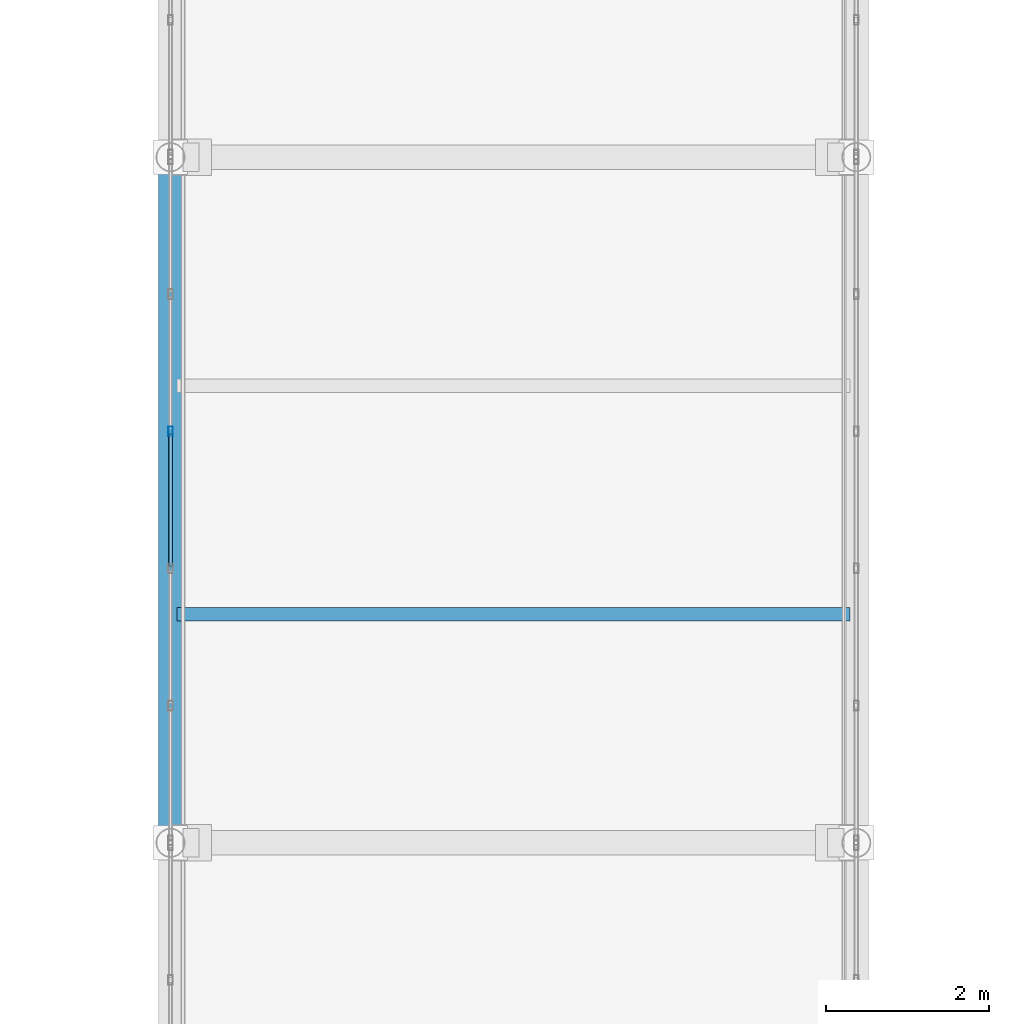
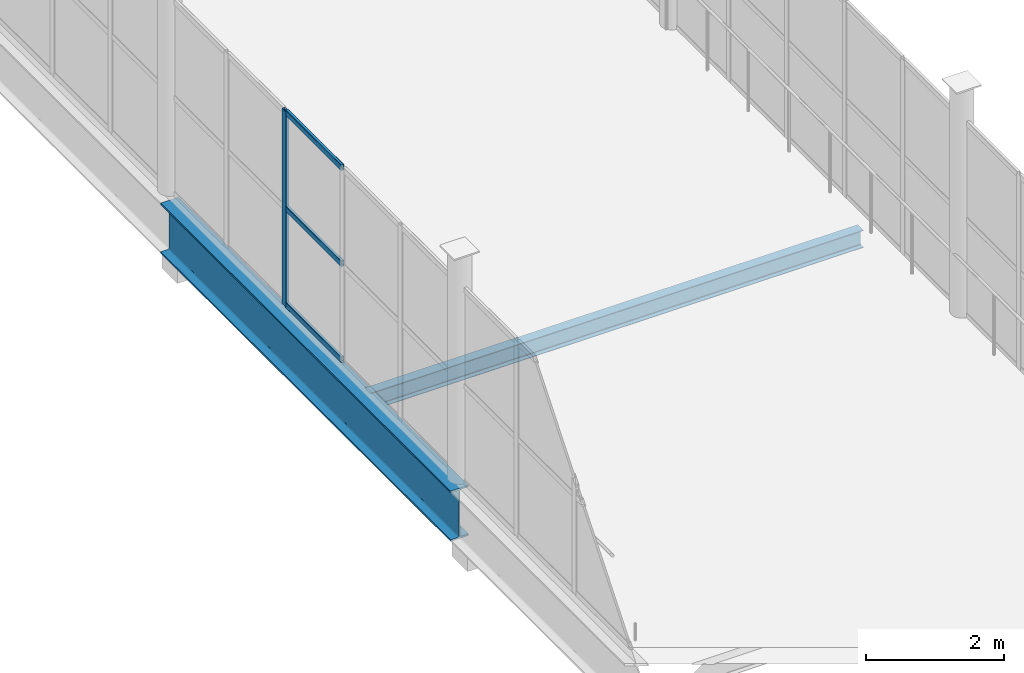
# One storey, part 61 of 184: 4 members, 2 beams, 1 element without a shape of its own.
"""IFC4 building model written with IfcOpenShell, lengths in metres."""

from ifc_helpers import new_model, si_unit, direction, frame, origin, origin_2d, place, context, subcontext, project, spatial, hollow_rectangle, i_section, extrude, material, layer, layer_set, material_profile, profile_set, type_object, element, aggregate, save


model = new_model("IFC4")

# Units and contexts
model_context = context("Model", 3, precision=1e-05, world=origin(), true_north=direction((0.0, 1.0)))
body_context = subcontext(model_context, "Body", "Model", "MODEL_VIEW")
ifc_project = project(units=[si_unit("LENGTHUNIT", "METRE"), si_unit("AREAUNIT", "SQUARE_METRE"), si_unit("VOLUMEUNIT", "CUBIC_METRE"), si_unit("PLANEANGLEUNIT", "RADIAN"), si_unit("MASSUNIT", "GRAM", prefix="KILO")], contexts=[model_context])

# Site, building, storey
site_placement = place(None, origin())
site = spatial("IfcSite", under=ifc_project, at=site_placement, CompositionType="ELEMENT")
building_placement = place(site_placement, origin())
building = spatial("IfcBuilding", under=site, at=building_placement, Name="Qalvenar Corner Mobility Hub", CompositionType="ELEMENT")
storey_placement = place(building_placement, frame((0.0, 0.0, 9.0)))
storey = spatial("IfcBuildingStorey", under=building, at=storey_placement, Name="L02", CompositionType="ELEMENT", Elevation=9.0)

# Beams
ifc_material_1 = material(Name="Steel S355", Category="steel")
ifc_material_profile_1 = material_profile(ifc_material_1, i_section(OverallWidth=0.300048828125, OverallDepth=0.889892578125, WebThickness=0.01611328125, FlangeThickness=0.030029296875, FilletRadius=0.027099609375, at=origin_2d()), Name="HEA900")
ifc_profile_set_1 = profile_set([ifc_material_profile_1], Name="Steel S355")
beam_type_1 = type_object("IfcBeamType", Name="BM-BRG900", PredefinedType="BEAM", material=ifc_profile_set_1)
beam_1_placement = place(storey_placement, frame((50.39990234375, 50.39990234375, -0.635009765625), z_axis=(0.0, 1.0, 0.0), x_axis=(-1.0, 0.0, 0.0)))
element("IfcBeam", 1, at=beam_1_placement, inside=storey, type_object=beam_type_1, Name="Court Link Bridge Girder BRG-2174", PredefinedType="BEAM", context=body_context, shape_type="SweptSolid", body=[
    extrude(i_section(OverallWidth=0.300048828125, OverallDepth=0.889892578125, WebThickness=0.01611328125, FlangeThickness=0.030029296875, FilletRadius=0.027099609375, at=origin_2d()), origin(), (0.0, 0.0, 1.0), 8.400146484375),
])
ifc_material_profile_2 = material_profile(ifc_material_1, i_section(OverallWidth=0.1650390625, OverallDepth=0.31005859375, WebThickness=0.005859375, FlangeThickness=0.009765625, FilletRadius=0.011962890625, at=origin_2d()), Name="W310x38.7")
ifc_profile_set_2 = profile_set([ifc_material_profile_2], Name="Steel S355")
beam_type_2 = type_object("IfcBeamType", Name="BM-JST310", PredefinedType="JOIST", material=ifc_profile_set_2)
beam_2_placement = place(storey_placement, frame((50.47802734375, 53.199951171875, -0.344970703125), z_axis=(1.0, 0.0, 0.0), x_axis=(0.0, 1.0, 0.0)))
element("IfcBeam", 2, at=beam_2_placement, inside=storey, type_object=beam_type_2, Name="Composite Floor Joist J-2184", PredefinedType="JOIST", context=body_context, shape_type="SweptSolid", body=[
    extrude(i_section(OverallWidth=0.1650390625, OverallDepth=0.31005859375, WebThickness=0.005859375, FlangeThickness=0.009765625, FilletRadius=0.011962890625, at=origin_2d()), origin(), (0.0, 0.0, 1.0), 8.243896484375),
])

# Curtain wall, members
ifc_material_2 = material(Name="Anodised Aluminium and Low-E Glazing", Category="aluminium")
ifc_layer = layer(ifc_material_2, 0.1201171875)
ifc_layer_set = layer_set([ifc_layer], Name="Anodised Aluminium and Low-E Glazing")
curtain_wall_type = type_object("IfcCurtainWallType", Name="CW-BRG-84X28", PredefinedType="NOTDEFINED", material=ifc_layer_set)
curtain_wall_placement = place(storey_placement, origin())
curtain_wall = element("IfcCurtainWall", 3, at=curtain_wall_placement, inside=storey, type_object=curtain_wall_type, Name="Glazed Curtain Wall CW-BRG-L02-W2", PredefinedType="NOTDEFINED")
ifc_material_3 = material(Name="Anodised Aluminium 6063-T6", Category="aluminium")
ifc_material_profile_3 = material_profile(ifc_material_3, hollow_rectangle(XDim=0.054931640625, YDim=0.1201171875, WallThickness=0.00341796875, InnerFilletRadius=0.00341796875, OuterFilletRadius=0.007080078125, at=origin_2d()), Name="RHS120x55x3.5")
ifc_profile_set_3 = profile_set([ifc_material_profile_3], Name="Anodised Aluminium 6063-T6")
member_type_1 = type_object("IfcMemberType", Name="CW-MUL120", PredefinedType="MULLION", material=ifc_profile_set_3)
member_1_placement = place(storey_placement, frame((50.39990234375, 55.43994140625, 0.0), z_axis=(0.0, 0.0, 1.0), x_axis=(1.0, 0.0, 0.0)))
member_1 = element("IfcMember", 4, at=member_1_placement, type_object=member_type_1, Name="CW-11 mullion 3", PredefinedType="MULLION", context=body_context, shape_type="SweptSolid", body=[
    extrude(hollow_rectangle(XDim=0.054931640625, YDim=0.1201171875, WallThickness=0.00341796875, InnerFilletRadius=0.00341796875, OuterFilletRadius=0.007080078125, at=origin_2d()), origin(), (0.0, 0.0, 1.0), 3.449951171875),
])
ifc_material_profile_4 = material_profile(ifc_material_3, hollow_rectangle(XDim=0.050048828125, YDim=0.10009765625, WallThickness=0.0029296875, InnerFilletRadius=0.0029296875, OuterFilletRadius=0.006103515625, at=origin_2d()), Name="RHS100x50x3")
ifc_profile_set_4 = profile_set([ifc_material_profile_4], Name="Anodised Aluminium 6063-T6")
member_type_2 = type_object("IfcMemberType", Name="CW-TRN100", PredefinedType="USERDEFINED", material=ifc_profile_set_4)
member_2_placement = place(storey_placement, frame((50.39990234375, 55.409912109375, 0.027587890625), z_axis=(0.0, -1.0, 0.0), x_axis=(1.0, 0.0, 0.0)))
member_2 = element("IfcMember", 5, at=member_2_placement, type_object=member_type_2, Name="CW-11 transom 3.1", ObjectType="TRANSOM", PredefinedType="USERDEFINED", context=body_context, shape_type="SweptSolid", body=[
    extrude(hollow_rectangle(XDim=0.050048828125, YDim=0.10009765625, WallThickness=0.0029296875, InnerFilletRadius=0.0029296875, OuterFilletRadius=0.006103515625, at=origin_2d()), origin(), (0.0, 0.0, 1.0), 1.619873046875),
])
member_3_placement = place(storey_placement, frame((50.39990234375, 55.409912109375, 1.72509765625), z_axis=(0.0, -1.0, 0.0), x_axis=(1.0, 0.0, 0.0)))
member_3 = element("IfcMember", 6, at=member_3_placement, type_object=member_type_2, Name="CW-11 transom 3.2", ObjectType="TRANSOM", PredefinedType="USERDEFINED", context=body_context, shape_type="SweptSolid", body=[
    extrude(hollow_rectangle(XDim=0.050048828125, YDim=0.10009765625, WallThickness=0.0029296875, InnerFilletRadius=0.0029296875, OuterFilletRadius=0.006103515625, at=origin_2d()), origin(), (0.0, 0.0, 1.0), 1.619873046875),
])
member_4_placement = place(storey_placement, frame((50.39990234375, 55.409912109375, 3.422607421875), z_axis=(0.0, -1.0, 0.0), x_axis=(1.0, 0.0, 0.0)))
member_4 = element("IfcMember", 7, at=member_4_placement, type_object=member_type_2, Name="CW-11 transom 3.3", ObjectType="TRANSOM", PredefinedType="USERDEFINED", context=body_context, shape_type="SweptSolid", body=[
    extrude(hollow_rectangle(XDim=0.050048828125, YDim=0.10009765625, WallThickness=0.0029296875, InnerFilletRadius=0.0029296875, OuterFilletRadius=0.006103515625, at=origin_2d()), origin(), (0.0, 0.0, 1.0), 1.619873046875),
])
aggregate(curtain_wall, [member_1, member_2, member_3, member_4])

save(model, "model.ifc")
